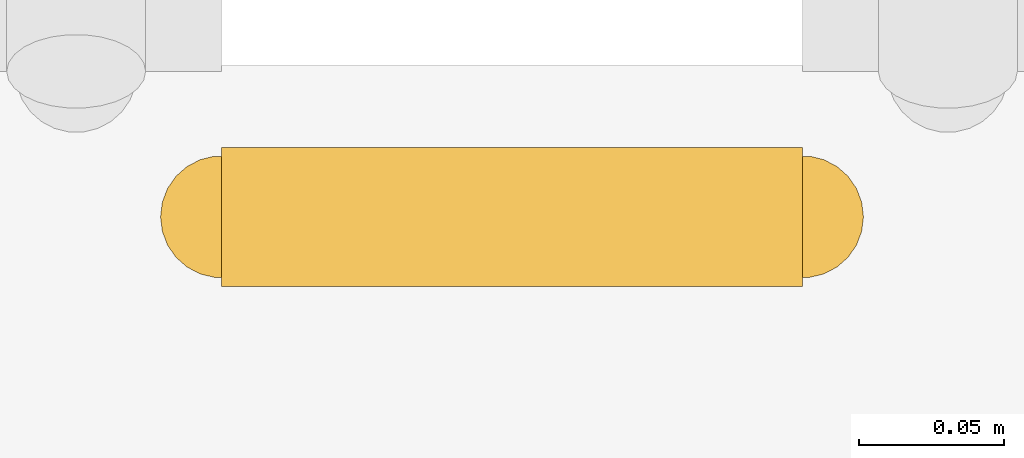
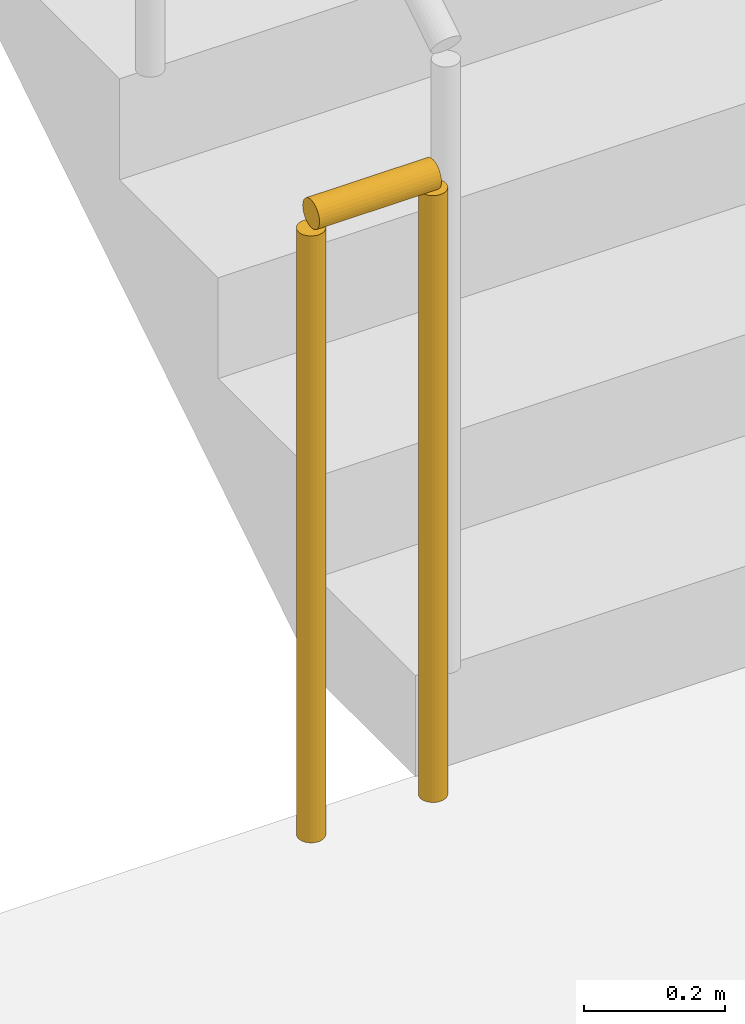
# One storey, part 12 of 22: 1 railing.
"""IFC4 building model written with IfcOpenShell, lengths in metres."""

from ifc_helpers import new_model, si_unit, direction, frame, origin, origin_2d, place, context, subcontext, project, spatial, circle, extrude, material, type_object, element, save


model = new_model("IFC4")

# Units and contexts
model_context = context("Model", 3, precision=1e-05, world=origin(), true_north=direction((0.0, 1.0)))
body_context = subcontext(model_context, "Body", "Model", "MODEL_VIEW")
ifc_project = project(units=[si_unit("LENGTHUNIT", "METRE"), si_unit("AREAUNIT", "SQUARE_METRE"), si_unit("VOLUMEUNIT", "CUBIC_METRE"), si_unit("PLANEANGLEUNIT", "RADIAN"), si_unit("MASSUNIT", "GRAM", prefix="KILO")], contexts=[model_context])

# Site, building, storey
site_placement = place(None, origin())
site = spatial("IfcSite", under=ifc_project, at=site_placement, CompositionType="ELEMENT")
building_placement = place(site_placement, origin())
building = spatial("IfcBuilding", under=site, at=building_placement, Name="Kiln Ring Residences", CompositionType="ELEMENT")
storey_placement = place(building_placement, frame((0.0, 0.0, 90.300048828125)))
storey = spatial("IfcBuildingStorey", under=building, at=storey_placement, Name="L22", CompositionType="ELEMENT", Elevation=90.300048828125)

# Railing
ifc_material = material(Name="Stainless steel", Category="steel")
railing_type = type_object("IfcRailingType", Name="CORE-STAIR-GUARD", PredefinedType="GUARDRAIL", material=ifc_material)
railing_placement = place(storey_placement, frame((-22.0, -8.449951171875, 0.0)))
element("IfcRailing", 1, at=railing_placement, inside=storey, type_object=railing_type, Name="L22 W-STS stair guard 4", PredefinedType="GUARDRAIL", context=body_context, shape_type="SweptSolid", body=[
    extrude(circle(Radius=0.02392578125, at=origin_2d()), frame((0.0, 0.0, 1.076171875), z_axis=(-1.0, 0.0, 0.0), x_axis=(0.0, -1.0, 0.0)), (0.0, 0.0, 1.0), 0.199951171875),
    extrude(circle(Radius=0.02099609375, at=origin_2d()), origin(), (0.0, 0.0, 1.0), 1.052001953125),
    extrude(circle(Radius=0.02099609375, at=origin_2d()), frame((-0.199951171875, 0.0, 0.0)), (0.0, 0.0, 1.0), 1.052001953125),
])

save(model, "model.ifc")
